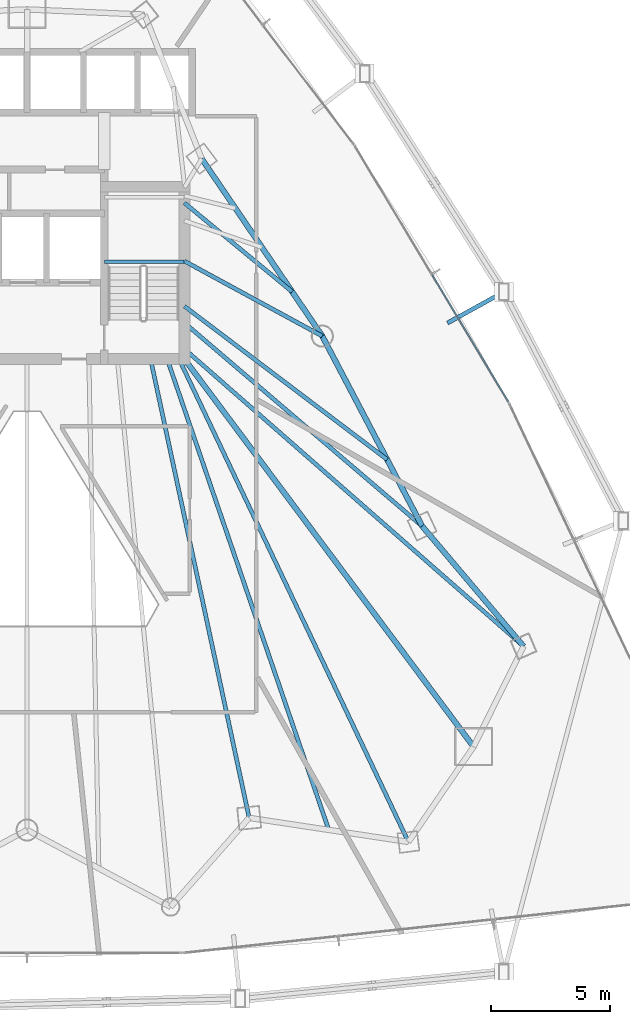
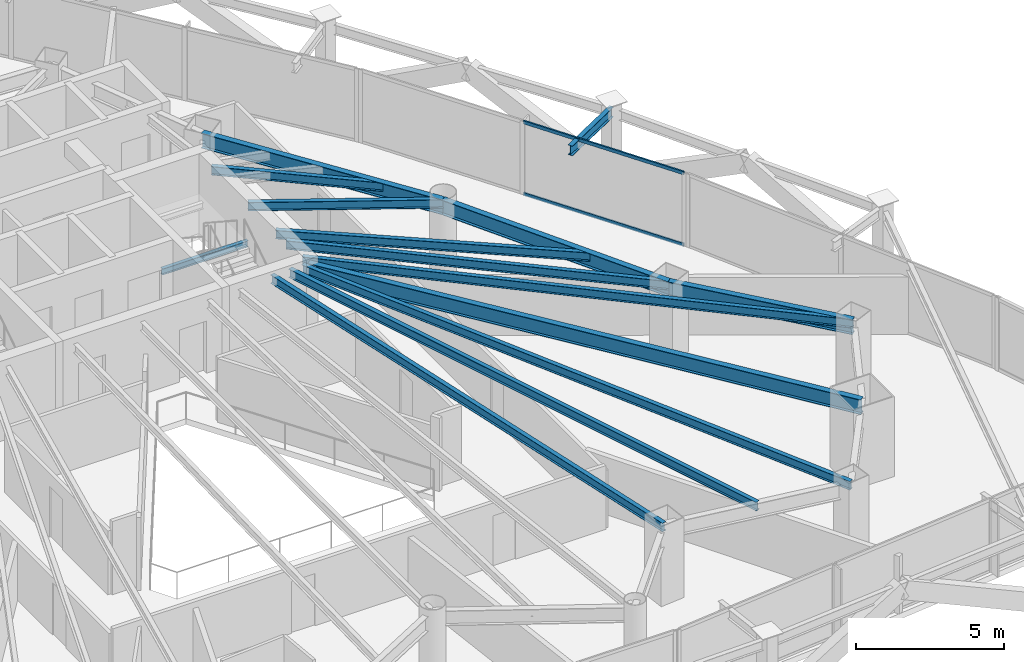
# One storey, part 19 of 38: 14 beams, 2 members, 1 element without a shape of its own.
"""IFC4 building model written with IfcOpenShell, lengths in metres."""

from ifc_helpers import new_model, si_unit, direction, frame, origin, origin_2d, place, context, subcontext, project, spatial, hollow_rectangle, i_section, extrude, material, layer, layer_set, material_profile, profile_set, type_object, element, aggregate, save


model = new_model("IFC4")

# Units and contexts
model_context = context("Model", 3, precision=1e-05, world=origin(), true_north=direction((0.0, 1.0)))
body_context = subcontext(model_context, "Body", "Model", "MODEL_VIEW")
ifc_project = project(units=[si_unit("LENGTHUNIT", "METRE"), si_unit("AREAUNIT", "SQUARE_METRE"), si_unit("VOLUMEUNIT", "CUBIC_METRE"), si_unit("PLANEANGLEUNIT", "RADIAN"), si_unit("MASSUNIT", "GRAM", prefix="KILO")], contexts=[model_context])

# Site, building, storey
site_placement = place(None, origin())
site = spatial("IfcSite", under=ifc_project, at=site_placement, CompositionType="ELEMENT")
building_placement = place(site_placement, origin())
building = spatial("IfcBuilding", under=site, at=building_placement, Name="Orvanel Arch Residences", CompositionType="ELEMENT")
storey_placement = place(building_placement, frame((0.0, 0.0, 56.60009765625)))
storey = spatial("IfcBuildingStorey", under=building, at=storey_placement, Name="L15", CompositionType="ELEMENT", Elevation=56.60009765625)

# Beams
ifc_material_1 = material(Name="Structural steel AS/NZS 3679.1 Grade 300 (300 MPa)", Category="steel")
ifc_material_profile_1 = material_profile(ifc_material_1, i_section(OverallWidth=0.22900390625, OverallDepth=0.612060546875, WebThickness=0.011962890625, FlangeThickness=0.01953125, at=origin_2d()), Name="610UB125")
ifc_profile_set_1 = profile_set([ifc_material_profile_1], Name="Structural steel AS/NZS 3679.1 Grade 300 (300 MPa)")
beam_type_1 = type_object("IfcBeamType", Name="BG-610UB", PredefinedType="BEAM", material=ifc_profile_set_1)
beam_1_placement = place(storey_placement, frame((39.625, 26.675048828125, 2.7138671875), z_axis=(0.597893733742, -0.801575375839, 0.0), x_axis=(0.801575375839, 0.597893733742, 0.0)))
element("IfcBeam", 1, at=beam_1_placement, inside=storey, type_object=beam_type_1, Name="L15 South-East Radial Girder", PredefinedType="BEAM", context=body_context, shape_type="SweptSolid", body=[
    extrude(i_section(OverallWidth=0.22900390625, OverallDepth=0.612060546875, WebThickness=0.011962890625, FlangeThickness=0.01953125, at=origin_2d()), origin(), (0.0, 0.0, 1.0), 20.36474609375),
])
ifc_material_profile_2 = material_profile(ifc_material_1, i_section(OverallWidth=0.14599609375, OverallDepth=0.251953125, WebThickness=0.006103515625, FlangeThickness=0.008544921875, at=origin_2d()), Name="250UB31.4")
ifc_profile_set_2 = profile_set([ifc_material_profile_2], Name="Structural steel AS/NZS 3679.1 Grade 300 (300 MPa)")
beam_type_2 = type_object("IfcBeamType", Name="BJ-250UB", PredefinedType="JOIST", material=ifc_profile_set_2)
beam_2_placement = place(storey_placement, frame((36.25, 30.780029296875, 1.323974609375), z_axis=(1.0, 0.0, 0.0), x_axis=(0.0, 1.0, 0.0)))
element("IfcBeam", 2, at=beam_2_placement, inside=storey, type_object=beam_type_2, Name="L15 ST-2 Half-Landing Support Beam 1.1", PredefinedType="JOIST", context=body_context, shape_type="SweptSolid", body=[
    extrude(i_section(OverallWidth=0.14599609375, OverallDepth=0.251953125, WebThickness=0.006103515625, FlangeThickness=0.008544921875, at=origin_2d()), origin(), (0.0, 0.0, 1.0), 3.35009765625),
])
ifc_material_profile_3 = material_profile(ifc_material_1, i_section(OverallWidth=0.1708984375, OverallDepth=0.35595703125, WebThickness=0.00732421875, FlangeThickness=0.011474609375, at=origin_2d()), Name="360UB50.7")
ifc_profile_set_3 = profile_set([ifc_material_profile_3], Name="Structural steel AS/NZS 3679.1 Grade 300 (300 MPa)")
beam_type_3 = type_object("IfcBeamType", Name="BJ-360UB", PredefinedType="JOIST", material=ifc_profile_set_3)
beam_3_placement = place(storey_placement, frame((39.625, 30.800048828125, 2.841796875), z_axis=(0.878399029914, -0.477927969726, 0.0), x_axis=(0.477927969726, 0.878399029914, 0.0)))
element("IfcBeam", 3, at=beam_3_placement, inside=storey, type_object=beam_type_3, Name="L15 NE Wing Floor Joist", PredefinedType="JOIST", context=body_context, shape_type="SweptSolid", body=[
    extrude(i_section(OverallWidth=0.1708984375, OverallDepth=0.35595703125, WebThickness=0.00732421875, FlangeThickness=0.011474609375, at=origin_2d()), origin(), (0.0, 0.0, 1.0), 6.609619140625),
])
beam_4_placement = place(storey_placement, frame((39.625, 28.199951171875, 2.841796875), z_axis=(0.760024297953, -0.649894658018, 0.0), x_axis=(0.649894658018, 0.760024297953, 0.0)))
element("IfcBeam", 4, at=beam_4_placement, inside=storey, type_object=beam_type_3, Name="L15 E Wing Floor Joist", PredefinedType="JOIST", context=body_context, shape_type="SweptSolid", body=[
    extrude(i_section(OverallWidth=0.1708984375, OverallDepth=0.35595703125, WebThickness=0.00732421875, FlangeThickness=0.011474609375, at=origin_2d()), origin(), (0.0, 0.0, 1.0), 13.16796875),
])
beam_5_placement = place(storey_placement, frame((38.199951171875, 26.675048828125, 2.841796875), z_axis=(0.210066515515, -0.977687096703, 0.0), x_axis=(0.977687096703, 0.210066515515, 0.0)))
element("IfcBeam", 5, at=beam_5_placement, inside=storey, type_object=beam_type_3, Name="L15 SE Wing Floor Joist", PredefinedType="JOIST", context=body_context, shape_type="SweptSolid", body=[
    extrude(i_section(OverallWidth=0.1708984375, OverallDepth=0.35595703125, WebThickness=0.00732421875, FlangeThickness=0.011474609375, at=origin_2d()), origin(), (0.0, 0.0, 1.0), 19.760986328125),
])
beam_6_placement = place(storey_placement, frame((39.625, 27.10009765625, 2.841796875), z_axis=(0.751924114057, -0.659249669472, 0.0), x_axis=(0.659249669472, 0.751924114057, 0.0)))
element("IfcBeam", 6, at=beam_6_placement, inside=storey, type_object=beam_type_3, Name="L15 ME Wing Floor Joist", PredefinedType="JOIST", context=body_context, shape_type="SweptSolid", body=[
    extrude(i_section(OverallWidth=0.1708984375, OverallDepth=0.35595703125, WebThickness=0.00732421875, FlangeThickness=0.011474609375, at=origin_2d()), origin(), (0.0, 0.0, 1.0), 18.9912109375),
])
beam_7_placement = place(storey_placement, frame((39.39990234375, 26.675048828125, 2.841796875), z_axis=(0.429042657795, -0.903284228686, 0.0), x_axis=(0.903284228686, 0.429042657795, 0.0)))
element("IfcBeam", 7, at=beam_7_placement, inside=storey, type_object=beam_type_3, Name="L15 MSE Wing Floor Joist", PredefinedType="JOIST", context=body_context, shape_type="SweptSolid", body=[
    extrude(i_section(OverallWidth=0.1708984375, OverallDepth=0.35595703125, WebThickness=0.00732421875, FlangeThickness=0.011474609375, at=origin_2d()), origin(), (0.0, 0.0, 1.0), 22.513427734375),
])
beam_8_placement = place(storey_placement, frame((39.625, 33.25, 2.841796875), z_axis=(0.771468562814, -0.636267441089, 0.0), x_axis=(0.636267441089, 0.771468562814, 0.0)))
element("IfcBeam", 8, at=beam_8_placement, inside=storey, type_object=beam_type_3, Name="L15 LE Wing Floor Joist", PredefinedType="JOIST", context=body_context, shape_type="SweptSolid", body=[
    extrude(i_section(OverallWidth=0.1708984375, OverallDepth=0.35595703125, WebThickness=0.00732421875, FlangeThickness=0.011474609375, at=origin_2d()), origin(), (0.0, 0.0, 1.0), 5.879638671875),
])
beam_9_placement = place(storey_placement, frame((39.625, 28.89990234375, 2.841796875), z_axis=(0.797519083104, -0.60329371958, 0.0), x_axis=(0.60329371958, 0.797519083104, 0.0)))
element("IfcBeam", 9, at=beam_9_placement, inside=storey, type_object=beam_type_3, Name="L15 CTE Wing Floor Joist", PredefinedType="JOIST", context=body_context, shape_type="SweptSolid", body=[
    extrude(i_section(OverallWidth=0.1708984375, OverallDepth=0.35595703125, WebThickness=0.00732421875, FlangeThickness=0.011474609375, at=origin_2d()), origin(), (0.0, 0.0, 1.0), 10.70458984375),
])
beam_10_placement = place(storey_placement, frame((38.89990234375, 26.675048828125, 2.841796875), z_axis=(0.324621456495, -0.945844019901, 0.0), x_axis=(0.945844019901, 0.324621456495, 0.0)))
element("IfcBeam", 10, at=beam_10_placement, inside=storey, type_object=beam_type_3, Name="L15 JADD2 Wing Floor Joist", PredefinedType="JOIST", context=body_context, shape_type="SweptSolid", body=[
    extrude(i_section(OverallWidth=0.1708984375, OverallDepth=0.35595703125, WebThickness=0.00732421875, FlangeThickness=0.011474609375, at=origin_2d()), origin(), (0.0, 0.0, 1.0), 20.96337890625),
])
ifc_material_profile_4 = material_profile(ifc_material_1, i_section(OverallWidth=0.177978515625, OverallDepth=0.406005859375, WebThickness=0.0078125, FlangeThickness=0.0126953125, at=origin_2d()), Name="410UB59.7")
ifc_profile_set_4 = profile_set([ifc_material_profile_4], Name="Structural steel AS/NZS 3679.1 Grade 300 (300 MPa)")
beam_type_4 = type_object("IfcBeamType", Name="OB-410UB-EXT", PredefinedType="SPANDREL", material=ifc_profile_set_4)
beam_11_placement = place(storey_placement, frame((50.7041015625, 28.19189453125, 2.81689453125), z_axis=(0.875332939039, 0.483520677772, 0.0), x_axis=(-0.483520677772, 0.875332939039, 0.0)))
element("IfcBeam", 11, at=beam_11_placement, inside=storey, type_object=beam_type_4, Name="L15 Outer Frame Radial Tie Beam 10", PredefinedType="SPANDREL", context=body_context, shape_type="SweptSolid", body=[
    extrude(i_section(OverallWidth=0.177978515625, OverallDepth=0.406005859375, WebThickness=0.0078125, FlangeThickness=0.0126953125, at=origin_2d()), origin(), (0.0, 0.0, 1.0), 2.707275390625),
])
ifc_material_profile_5 = material_profile(ifc_material_1, i_section(OverallWidth=0.22900390625, OverallDepth=0.612060546875, WebThickness=0.011962890625, FlangeThickness=0.01953125, at=origin_2d()), Name="610UB125")
ifc_profile_set_5 = profile_set([ifc_material_profile_5], Name="Structural steel AS/NZS 3679.1 Grade 300 (300 MPa)")
beam_type_5 = type_object("IfcBeamType", Name="SP-610UB", PredefinedType="SPANDREL", material=ifc_profile_set_5)
beam_12_placement = place(storey_placement, frame((53.905029296875, 14.580078125, 2.7138671875), z_axis=(-0.644950329775, 0.764224490659, 0.0), x_axis=(-0.764224490659, -0.644950329775, 0.0)))
element("IfcBeam", 12, at=beam_12_placement, inside=storey, type_object=beam_type_5, Name="L15 Perimeter Spandrel Beam 12", PredefinedType="SPANDREL", context=body_context, shape_type="SweptSolid", body=[
    extrude(i_section(OverallWidth=0.22900390625, OverallDepth=0.612060546875, WebThickness=0.011962890625, FlangeThickness=0.01953125, at=origin_2d()), origin(), (0.0, 0.0, 1.0), 6.623779296875),
])
beam_13_placement = place(storey_placement, frame((49.633056640625, 19.64208984375, 2.7138671875), z_axis=(-0.465064762793, 0.885276660942, 0.0), x_axis=(-0.885276660942, -0.465064762793, 0.0)))
element("IfcBeam", 13, at=beam_13_placement, inside=storey, type_object=beam_type_5, Name="L15 Perimeter Spandrel Beam 13", PredefinedType="SPANDREL", context=body_context, shape_type="SweptSolid", body=[
    extrude(i_section(OverallWidth=0.22900390625, OverallDepth=0.612060546875, WebThickness=0.011962890625, FlangeThickness=0.01953125, at=origin_2d()), origin(), (0.0, 0.0, 1.0), 9.03564453125),
])
beam_14_placement = place(storey_placement, frame((45.430908203125, 27.64111328125, 2.7138671875), z_axis=(-0.562154793153, 0.827032035978, 0.0), x_axis=(-0.827032035978, -0.562154793153, 0.0)))
element("IfcBeam", 14, at=beam_14_placement, inside=storey, type_object=beam_type_5, Name="L15 Perimeter Spandrel Beam 14", PredefinedType="SPANDREL", context=body_context, shape_type="SweptSolid", body=[
    extrude(i_section(OverallWidth=0.22900390625, OverallDepth=0.612060546875, WebThickness=0.011962890625, FlangeThickness=0.01953125, at=origin_2d()), origin(), (0.0, 0.0, 1.0), 9.03466796875),
])

# Curtain wall, members
ifc_material_2 = material(Name="Bronze-anodised aluminium AA6063-T6", Category="aluminium")
ifc_layer = layer(ifc_material_2, 0.179931640625)
ifc_layer_set = layer_set([ifc_layer], Name="Bronze-anodised aluminium AA6063-T6")
curtain_wall_type = type_object("IfcCurtainWallType", Name="CW2-LOW-SYS", PredefinedType="NOTDEFINED", material=ifc_layer_set)
curtain_wall_placement = place(storey_placement, origin())
curtain_wall = element("IfcCurtainWall", 15, at=curtain_wall_placement, inside=storey, type_object=curtain_wall_type, Name="L15 CW2-LOW-SYS Unitised Curtain Wall", PredefinedType="NOTDEFINED")
ifc_material_profile_6 = material_profile(ifc_material_2, hollow_rectangle(XDim=0.06005859375, YDim=0.135009765625, WallThickness=0.00390625, at=origin_2d()), Name="ALU135x60x4")
ifc_profile_set_6 = profile_set([ifc_material_profile_6], Name="Bronze-anodised aluminium AA6063-T6")
member_type = type_object("IfcMemberType", Name="TRN-135x60", PredefinedType="USERDEFINED", material=ifc_profile_set_6)
member_1_placement = place(storey_placement, frame((53.2529296875, 24.89697265625, 0.02978515625), z_axis=(-0.514351154376, 0.857579669764, 0.0), x_axis=(-0.857579669764, -0.514351154376, 0.0)))
member_1 = element("IfcMember", 16, at=member_1_placement, type_object=member_type, Name="CW-S2 transom 1.1", ObjectType="TRANSOM", PredefinedType="USERDEFINED", context=body_context, shape_type="SweptSolid", body=[
    extrude(hollow_rectangle(XDim=0.06005859375, YDim=0.135009765625, WallThickness=0.00390625, at=origin_2d()), origin(), (0.0, 0.0, 1.0), 6.20751953125),
])
member_2_placement = place(storey_placement, frame((53.2529296875, 24.89697265625, 2.989990234375), z_axis=(-0.514351154376, 0.857579669764, 0.0), x_axis=(-0.857579669764, -0.514351154376, 0.0)))
member_2 = element("IfcMember", 17, at=member_2_placement, type_object=member_type, Name="CW-S2 transom 1.2", ObjectType="TRANSOM", PredefinedType="USERDEFINED", context=body_context, shape_type="SweptSolid", body=[
    extrude(hollow_rectangle(XDim=0.06005859375, YDim=0.135009765625, WallThickness=0.00390625, at=origin_2d()), origin(), (0.0, 0.0, 1.0), 6.20751953125),
])
aggregate(curtain_wall, [member_1, member_2])

save(model, "model.ifc")
